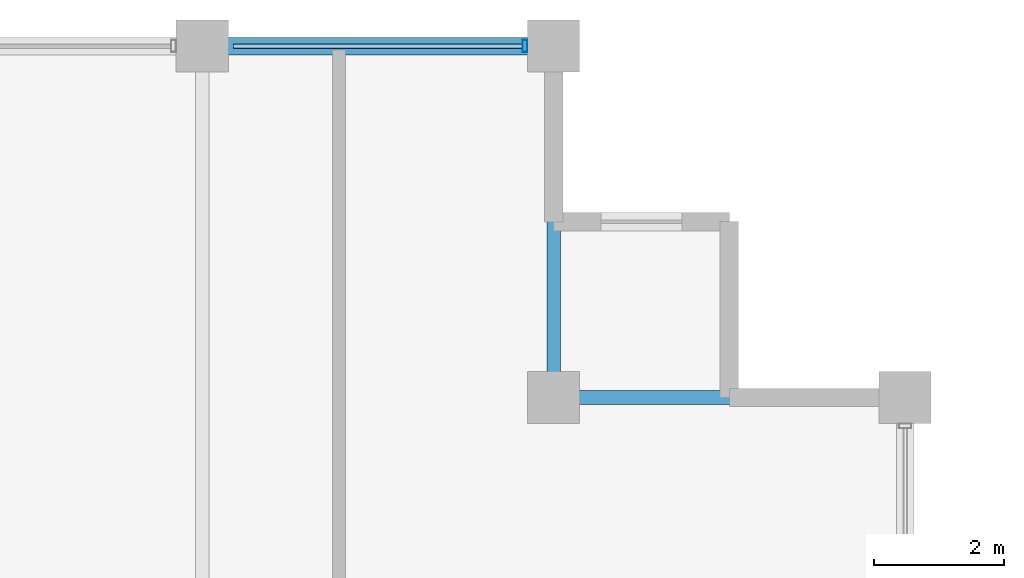
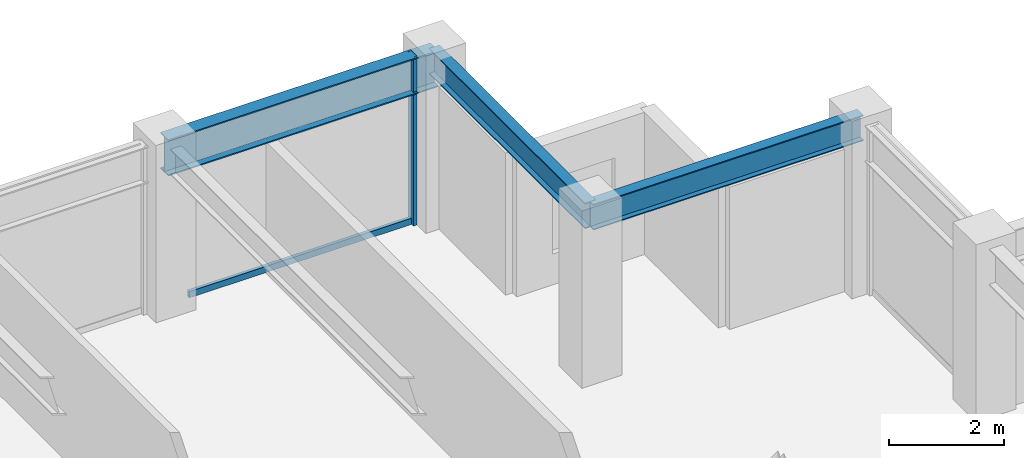
# One storey, part 23 of 32: 3 beams, 2 members, 1 element without a shape of its own.
"""IFC4 building model written with IfcOpenShell, lengths in metres."""

from ifc_helpers import new_model, si_unit, direction, frame, origin, origin_2d, place, context, subcontext, project, spatial, hollow_rectangle, i_section, extrude, material, layer, layer_set, material_profile, profile_set, type_object, element, aggregate, save


model = new_model("IFC4")

# Units and contexts
model_context = context("Model", 3, precision=1e-05, world=origin(), true_north=direction((0.0, 1.0)))
body_context = subcontext(model_context, "Body", "Model", "MODEL_VIEW")
ifc_project = project(units=[si_unit("LENGTHUNIT", "METRE"), si_unit("AREAUNIT", "SQUARE_METRE"), si_unit("VOLUMEUNIT", "CUBIC_METRE"), si_unit("PLANEANGLEUNIT", "RADIAN"), si_unit("MASSUNIT", "GRAM", prefix="KILO")], contexts=[model_context])

# Site, building, storey
site_placement = place(None, origin())
site = spatial("IfcSite", under=ifc_project, at=site_placement, CompositionType="ELEMENT")
building_placement = place(site_placement, origin())
building = spatial("IfcBuilding", under=site, at=building_placement, Name="Surkhivell Harbour Commons", CompositionType="ELEMENT")
storey_placement = place(building_placement, frame((0.0, 0.0, 234.75)))
storey = spatial("IfcBuildingStorey", under=building, at=storey_placement, Name="L61", CompositionType="ELEMENT", Elevation=234.75)

# Beams
ifc_material_1 = material(Name="Steel S355", Category="steel")
ifc_material_profile_1 = material_profile(ifc_material_1, i_section(OverallWidth=0.2119140625, OverallDepth=0.5439453125, WebThickness=0.0126953125, FlangeThickness=0.021240234375, at=origin_2d()), Name="UB533x210x122")
ifc_profile_set_1 = profile_set([ifc_material_profile_1], Name="Steel S355")
beam_type_1 = type_object("IfcBeamType", Name="BM-GRD-533A", PredefinedType="BEAM", material=ifc_profile_set_1)
beam_1_placement = place(storey_placement, frame((16.199951171875, 20.5, 3.298095703125), z_axis=(0.0, 1.0, 0.0), x_axis=(-1.0, 0.0, 0.0)))
element("IfcBeam", 1, at=beam_1_placement, inside=storey, type_object=beam_type_1, Name="L61 Floor Girder (16.2,20.5)", PredefinedType="BEAM", context=body_context, shape_type="SweptSolid", body=[
    extrude(i_section(OverallWidth=0.2119140625, OverallDepth=0.5439453125, WebThickness=0.0126953125, FlangeThickness=0.021240234375, at=origin_2d()), origin(), (0.0, 0.0, 1.0), 5.39990234375),
])
beam_2_placement = place(storey_placement, frame((16.199951171875, 20.5, 3.298095703125), z_axis=(1.0, 0.0, 0.0), x_axis=(0.0, 1.0, 0.0)))
element("IfcBeam", 2, at=beam_2_placement, inside=storey, type_object=beam_type_1, Name="L61 Floor Girder (16.2,20.5)", PredefinedType="BEAM", context=body_context, shape_type="SweptSolid", body=[
    extrude(i_section(OverallWidth=0.2119140625, OverallDepth=0.5439453125, WebThickness=0.0126953125, FlangeThickness=0.021240234375, at=origin_2d()), origin(), (0.0, 0.0, 1.0), 5.400146484375),
])
ifc_material_profile_2 = material_profile(ifc_material_1, i_section(OverallWidth=0.26806640625, OverallDepth=0.77001953125, WebThickness=0.015625, FlangeThickness=0.025390625, at=origin_2d()), Name="UB762x267x197")
ifc_profile_set_2 = profile_set([ifc_material_profile_2], Name="Steel S355")
beam_type_2 = type_object("IfcBeamType", Name="BM-SPN-762", PredefinedType="SPANDREL", material=ifc_profile_set_2)
beam_3_placement = place(storey_placement, frame((10.800048828125, 25.89990234375, 3.18505859375), z_axis=(1.0, 0.0, 0.0), x_axis=(0.0, 1.0, 0.0)))
element("IfcBeam", 3, at=beam_3_placement, inside=storey, type_object=beam_type_2, Name="L61 Tube Spandrel (10.8,25.9)", PredefinedType="SPANDREL", context=body_context, shape_type="SweptSolid", body=[
    extrude(i_section(OverallWidth=0.26806640625, OverallDepth=0.77001953125, WebThickness=0.015625, FlangeThickness=0.025390625, at=origin_2d()), origin(), (0.0, 0.0, 1.0), 5.39990234375),
])

# Curtain wall, members
ifc_material_2 = material(Name="Anodised pale-metal aluminium and insulated glazing", Category="aluminium")
ifc_layer = layer(ifc_material_2, 0.18994140625)
ifc_layer_set = layer_set([ifc_layer], Name="Anodised pale-metal aluminium and insulated glazing")
curtain_wall_type = type_object("IfcCurtainWallType", Name="CW-SYS-Z3", PredefinedType="NOTDEFINED", material=ifc_layer_set)
curtain_wall_placement = place(storey_placement, origin())
curtain_wall = element("IfcCurtainWall", 4, at=curtain_wall_placement, inside=storey, type_object=curtain_wall_type, Name="L61 Curtain Wall CW-L61-E07S1", PredefinedType="NOTDEFINED")
ifc_material_3 = material(Name="Anodised pale-metal aluminium alloy 6063-T6", Category="aluminium")
ifc_material_profile_3 = material_profile(ifc_material_3, hollow_rectangle(XDim=0.074951171875, YDim=0.18994140625, WallThickness=0.00390625, at=origin_2d()), Name="ALU-MULL-75x190")
ifc_profile_set_3 = profile_set([ifc_material_profile_3], Name="Anodised pale-metal aluminium alloy 6063-T6")
member_type_1 = type_object("IfcMemberType", Name="CWM-190", PredefinedType="MULLION", material=ifc_profile_set_3)
member_1_placement = place(storey_placement, frame((15.760498046875, 25.89990234375, 0.0), z_axis=(0.0, 0.0, 1.0), x_axis=(-1.0, 0.0, 0.0)))
member_1 = element("IfcMember", 5, at=member_1_placement, type_object=member_type_1, Name="CW-Z3 mullion 1", PredefinedType="MULLION", context=body_context, shape_type="SweptSolid", body=[
    extrude(hollow_rectangle(XDim=0.074951171875, YDim=0.18994140625, WallThickness=0.00390625, at=origin_2d()), origin(), (0.0, 0.0, 1.0), 3.570068359375),
])
ifc_material_4 = material(Name="Champagne anodised aluminium alloy 6063-T6", Category="aluminium")
ifc_material_profile_4 = material_profile(ifc_material_4, hollow_rectangle(XDim=0.070068359375, YDim=0.1298828125, WallThickness=0.00341796875, at=origin_2d()), Name="ALU-TRAN-70x130")
ifc_profile_set_4 = profile_set([ifc_material_profile_4], Name="Champagne anodised aluminium alloy 6063-T6")
member_type_2 = type_object("IfcMemberType", Name="CWT-130", PredefinedType="USERDEFINED", material=ifc_profile_set_4)
member_2_placement = place(storey_placement, frame((15.722900390625, 25.89990234375, 0.06494140625), z_axis=(-1.0, 0.0, 0.0), x_axis=(0.0, -1.0, 0.0)))
member_2 = element("IfcMember", 6, at=member_2_placement, type_object=member_type_2, Name="CW-Z3 transom 1.1", ObjectType="TRANSOM", PredefinedType="USERDEFINED", context=body_context, shape_type="SweptSolid", body=[
    extrude(hollow_rectangle(XDim=0.070068359375, YDim=0.1298828125, WallThickness=0.00341796875, at=origin_2d()), origin(), (0.0, 0.0, 1.0), 4.44580078125),
])
aggregate(curtain_wall, [member_1, member_2])

save(model, "model.ifc")
